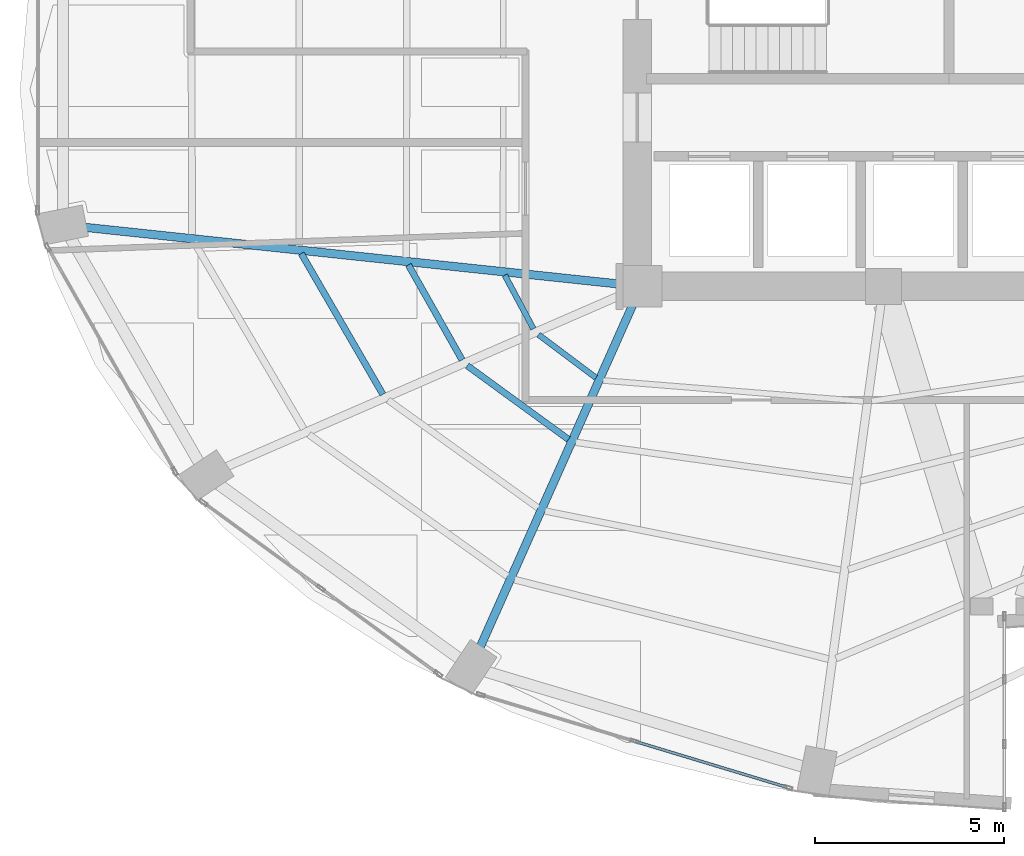
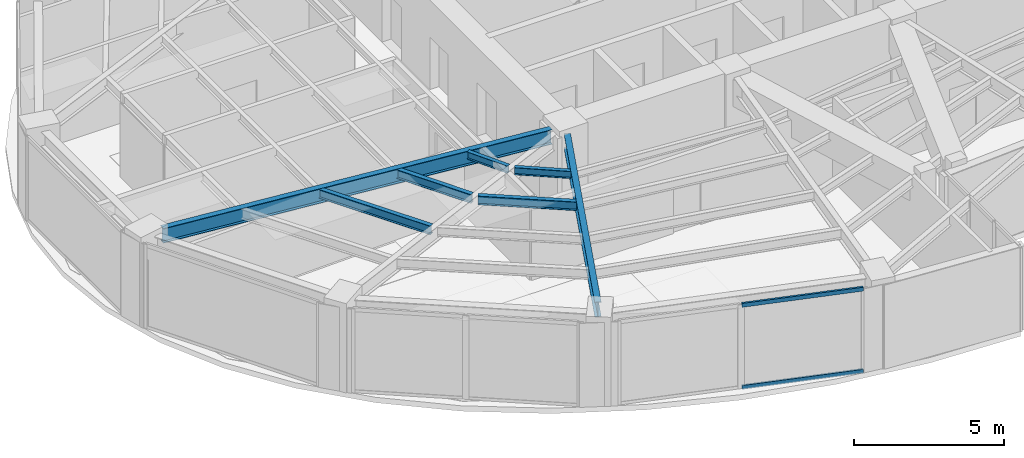
# One storey, part 4 of 24: 7 beams, 2 members, 1 element without a shape of its own.
"""IFC4 building model written with IfcOpenShell, lengths in metres."""

from ifc_helpers import new_model, si_unit, direction, frame, origin, origin_2d, place, context, subcontext, project, spatial, hollow_rectangle, i_section, extrude, material, layer, layer_set, material_profile, profile_set, type_object, element, aggregate, save


model = new_model("IFC4")

# Units and contexts
model_context = context("Model", 3, precision=1e-05, world=origin(), true_north=direction((0.0, 1.0)))
body_context = subcontext(model_context, "Body", "Model", "MODEL_VIEW")
ifc_project = project(units=[si_unit("LENGTHUNIT", "METRE"), si_unit("AREAUNIT", "SQUARE_METRE"), si_unit("VOLUMEUNIT", "CUBIC_METRE"), si_unit("PLANEANGLEUNIT", "RADIAN"), si_unit("MASSUNIT", "GRAM", prefix="KILO")], contexts=[model_context])

# Site, building, storey
site_placement = place(None, origin())
site = spatial("IfcSite", under=ifc_project, at=site_placement, CompositionType="ELEMENT")
building_placement = place(site_placement, origin())
building = spatial("IfcBuilding", under=site, at=building_placement, Name="Lazwardi Medical Tower", CompositionType="ELEMENT")
storey_placement = place(building_placement, frame((0.0, 0.0, 96.3359375)))
storey = spatial("IfcBuildingStorey", under=building, at=storey_placement, Name="L24", CompositionType="ELEMENT", Elevation=96.3359375)

# Beams
ifc_material_1 = material(Name="Steel S355", Category="steel")
ifc_material_profile_1 = material_profile(ifc_material_1, i_section(OverallWidth=0.219970703125, OverallDepth=0.60009765625, WebThickness=0.011962890625, FlangeThickness=0.01904296875, at=origin_2d()), Name="IPE 600")
ifc_profile_set_1 = profile_set([ifc_material_profile_1], Name="Steel S355")
beam_type_1 = type_object("IfcBeamType", Name="BM-RG-W1", PredefinedType="BEAM", material=ifc_profile_set_1)
beam_1_placement = place(storey_placement, frame((11.7138671875, 21.958984375, 3.128173828125), z_axis=(0.994413340753, -0.10555618282, 0.0), x_axis=(0.10555618282, 0.994413340753, 0.0)))
element("IfcBeam", 1, at=beam_1_placement, inside=storey, type_object=beam_type_1, Name="Radial girder RG-02 R13 L24", PredefinedType="BEAM", context=body_context, shape_type="SweptSolid", body=[
    extrude(i_section(OverallWidth=0.219970703125, OverallDepth=0.60009765625, WebThickness=0.011962890625, FlangeThickness=0.01904296875, at=origin_2d()), origin(), (0.0, 0.0, 1.0), 14.233642578125),
])
beam_2_placement = place(storey_placement, frame((22.152587890625, 10.872314453125, 3.128173828125), z_axis=(0.407165924957, 0.913354208155, 0.0), x_axis=(-0.913354208155, 0.407165924957, 0.0)))
element("IfcBeam", 2, at=beam_2_placement, inside=storey, type_object=beam_type_1, Name="Radial girder RG-02 R15 L24", PredefinedType="BEAM", context=body_context, shape_type="SweptSolid", body=[
    extrude(i_section(OverallWidth=0.219970703125, OverallDepth=0.60009765625, WebThickness=0.011962890625, FlangeThickness=0.01904296875, at=origin_2d()), origin(), (0.0, 0.0, 1.0), 9.896484375),
])
ifc_material_profile_2 = material_profile(ifc_material_1, i_section(OverallWidth=0.169921875, OverallDepth=0.360107421875, WebThickness=0.008056640625, FlangeThickness=0.0126953125, at=origin_2d()), Name="IPE 360")
ifc_profile_set_2 = profile_set([ifc_material_profile_2], Name="Steel S355")
beam_type_2 = type_object("IfcBeamType", Name="BM-SJ-02", PredefinedType="JOIST", material=ifc_profile_set_2)
beam_3_placement = place(storey_placement, frame((17.42822265625, 21.26708984375, 3.248046875), z_axis=(0.501365325212, -0.865235696602, 0.0), x_axis=(0.865235696602, 0.501365325212, 0.0)))
element("IfcBeam", 3, at=beam_3_placement, inside=storey, type_object=beam_type_2, Name="Secondary joist SJ-02 R2 B13 L24", PredefinedType="JOIST", context=body_context, shape_type="SweptSolid", body=[
    extrude(i_section(OverallWidth=0.169921875, OverallDepth=0.360107421875, WebThickness=0.008056640625, FlangeThickness=0.0126953125, at=origin_2d()), origin(), (0.0, 0.0, 1.0), 4.298828125),
])
beam_4_placement = place(storey_placement, frame((20.258056640625, 20.966064453125, 3.248046875), z_axis=(0.492026539517, -0.870580199873, 0.0), x_axis=(0.870580199873, 0.492026539517, 0.0)))
element("IfcBeam", 4, at=beam_4_placement, inside=storey, type_object=beam_type_2, Name="Secondary joist SJ-02 R3 B13 L24", PredefinedType="JOIST", context=body_context, shape_type="SweptSolid", body=[
    extrude(i_section(OverallWidth=0.169921875, OverallDepth=0.360107421875, WebThickness=0.008056640625, FlangeThickness=0.0126953125, at=origin_2d()), origin(), (0.0, 0.0, 1.0), 2.880859375),
])
beam_5_placement = place(storey_placement, frame((21.81201171875, 18.3046875, 3.248046875), z_axis=(0.808301737247, -0.588768461761, 0.0), x_axis=(0.588768461761, 0.808301737247, 0.0)))
element("IfcBeam", 5, at=beam_5_placement, inside=storey, type_object=beam_type_2, Name="Secondary joist SJ-02 R3 B14 L24", PredefinedType="JOIST", context=body_context, shape_type="SweptSolid", body=[
    extrude(i_section(OverallWidth=0.169921875, OverallDepth=0.360107421875, WebThickness=0.008056640625, FlangeThickness=0.0126953125, at=origin_2d()), origin(), (0.0, 0.0, 1.0), 3.307373046875),
])
ifc_material_profile_3 = material_profile(ifc_material_1, i_section(OverallWidth=0.14990234375, OverallDepth=0.300048828125, WebThickness=0.007080078125, FlangeThickness=0.0107421875, at=origin_2d()), Name="IPE 300")
ifc_profile_set_3 = profile_set([ifc_material_profile_3], Name="Steel S355")
beam_type_3 = type_object("IfcBeamType", Name="BM-SJ-03", PredefinedType="JOIST", material=ifc_profile_set_3)
beam_6_placement = place(storey_placement, frame((22.8037109375, 20.6943359375, 3.278076171875), z_axis=(0.471022344925, -0.882121278839, 0.0), x_axis=(0.882121278839, 0.471022344925, 0.0)))
element("IfcBeam", 6, at=beam_6_placement, inside=storey, type_object=beam_type_3, Name="Secondary joist SJ-03 R4 B13 L24", PredefinedType="JOIST", context=body_context, shape_type="SweptSolid", body=[
    extrude(i_section(OverallWidth=0.14990234375, OverallDepth=0.300048828125, WebThickness=0.007080078125, FlangeThickness=0.0107421875, at=origin_2d()), origin(), (0.0, 0.0, 1.0), 1.605224609375),
])
beam_7_placement = place(storey_placement, frame((23.693359375, 19.12255859375, 3.278076171875), z_axis=(0.800447687995, -0.599402618265, 0.0), x_axis=(0.599402618265, 0.800447687995, 0.0)))
element("IfcBeam", 7, at=beam_7_placement, inside=storey, type_object=beam_type_3, Name="Secondary joist SJ-03 R4 B14 L24", PredefinedType="JOIST", context=body_context, shape_type="SweptSolid", body=[
    extrude(i_section(OverallWidth=0.14990234375, OverallDepth=0.300048828125, WebThickness=0.007080078125, FlangeThickness=0.0107421875, at=origin_2d()), origin(), (0.0, 0.0, 1.0), 1.896728515625),
])

# Curtain wall, members
ifc_material_2 = material(Name="Anodised bronze aluminium and solar control glazing", Category="aluminium")
ifc_layer = layer(ifc_material_2, 0.195068359375)
ifc_layer_set = layer_set([ifc_layer], Name="Anodised bronze aluminium and solar control glazing")
curtain_wall_type = type_object("IfcCurtainWallType", Name="CW-SYS-03", PredefinedType="NOTDEFINED", material=ifc_layer_set)
curtain_wall_placement = place(storey_placement, origin())
curtain_wall = element("IfcCurtainWall", 8, at=curtain_wall_placement, inside=storey, type_object=curtain_wall_type, Name="L24 Unitised bronze curtain wall CW-03", PredefinedType="NOTDEFINED")
ifc_material_3 = material(Name="Anodised bronze aluminium", Category="aluminium")
ifc_material_profile_4 = material_profile(ifc_material_3, hollow_rectangle(XDim=0.074951171875, YDim=0.159912109375, WallThickness=0.00390625, at=origin_2d()), Name="ALU-TRANSOM 160x75x4")
ifc_profile_set_4 = profile_set([ifc_material_profile_4], Name="Anodised bronze aluminium")
member_type = type_object("IfcMemberType", Name="CW-TRN-01", PredefinedType="USERDEFINED", material=ifc_profile_set_4)
member_1_placement = place(storey_placement, frame((26.2666015625, 8.3759765625, 0.03759765625), z_axis=(0.957220865985, -0.289358279168, 0.0), x_axis=(0.289358279168, 0.957220865985, 0.0)))
member_1 = element("IfcMember", 9, at=member_1_placement, type_object=member_type, Name="CW-03 transom 2.1", ObjectType="TRANSOM", PredefinedType="USERDEFINED", context=body_context, shape_type="SweptSolid", body=[
    extrude(hollow_rectangle(XDim=0.074951171875, YDim=0.159912109375, WallThickness=0.00390625, at=origin_2d()), origin(), (0.0, 0.0, 1.0), 4.16552734375),
])
member_2_placement = place(storey_placement, frame((26.2666015625, 8.3759765625, 3.390625), z_axis=(0.957220865985, -0.289358279168, 0.0), x_axis=(0.289358279168, 0.957220865985, 0.0)))
member_2 = element("IfcMember", 10, at=member_2_placement, type_object=member_type, Name="CW-03 transom 2.2", ObjectType="TRANSOM", PredefinedType="USERDEFINED", context=body_context, shape_type="SweptSolid", body=[
    extrude(hollow_rectangle(XDim=0.074951171875, YDim=0.159912109375, WallThickness=0.00390625, at=origin_2d()), origin(), (0.0, 0.0, 1.0), 4.16552734375),
])
aggregate(curtain_wall, [member_1, member_2])

save(model, "model.ifc")
